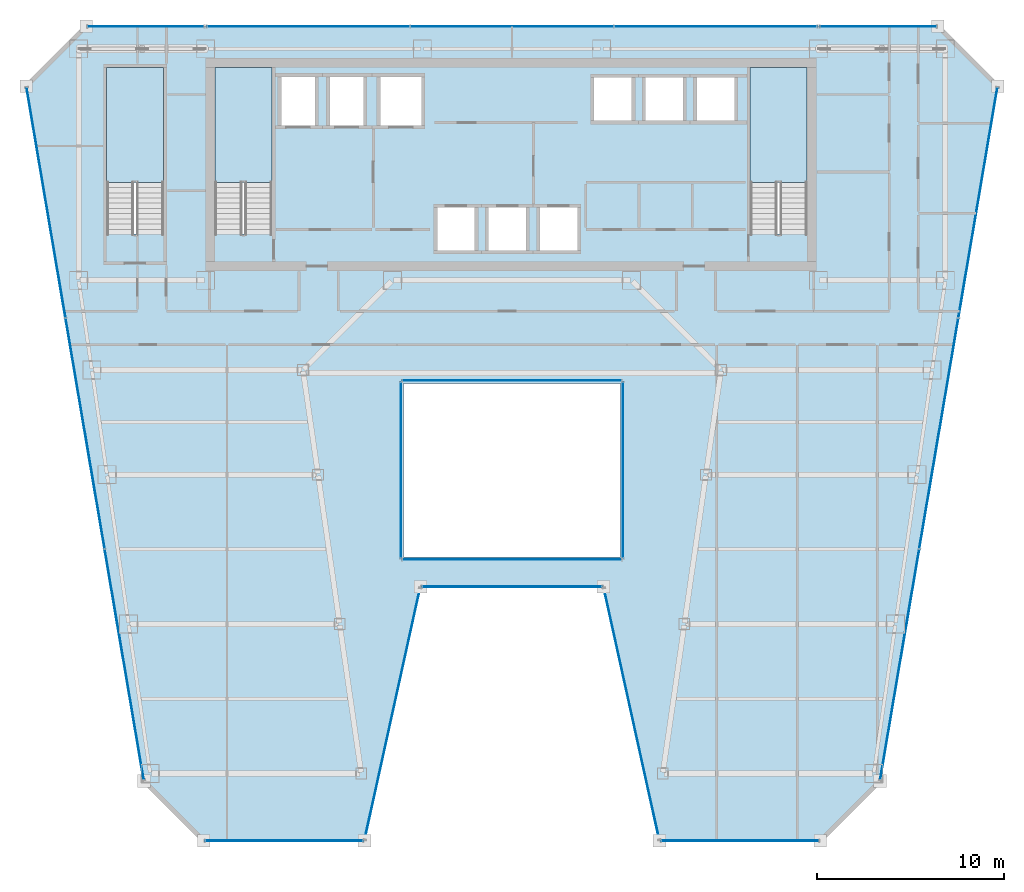
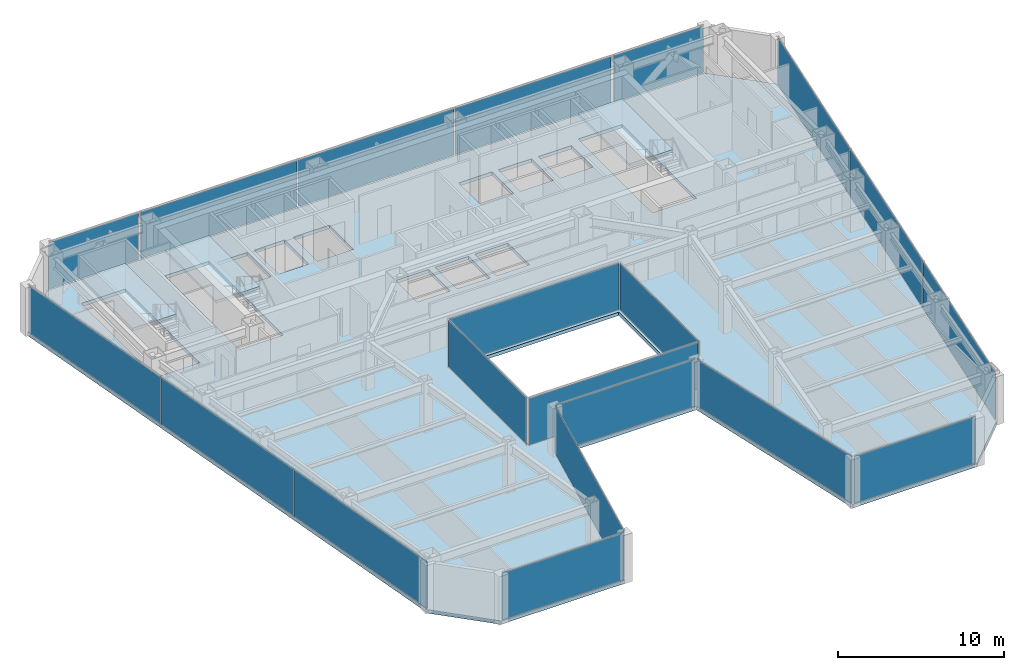
# One storey, part 28 of 36: 20 plates, 4 slabs, 17 elements without a shape of their own.
"""IFC4 building model written with IfcOpenShell, lengths in metres."""

from ifc_helpers import new_model, si_unit, direction, frame, origin, origin_2d, place, context, subcontext, project, spatial, polyline, rectangle, outline, extrude, material, layer, layer_set, type_object, element, aggregate, save


model = new_model("IFC4")

# Units and contexts
model_context = context("Model", 3, precision=1e-05, world=origin(), true_north=direction((0.0, 1.0)))
body_context = subcontext(model_context, "Body", "Model", "MODEL_VIEW")
ifc_project = project(units=[si_unit("LENGTHUNIT", "METRE"), si_unit("AREAUNIT", "SQUARE_METRE"), si_unit("VOLUMEUNIT", "CUBIC_METRE"), si_unit("PLANEANGLEUNIT", "RADIAN"), si_unit("MASSUNIT", "GRAM", prefix="KILO")], contexts=[model_context])

# Site, building, storey
site_placement = place(None, origin())
site = spatial("IfcSite", under=ifc_project, at=site_placement, CompositionType="ELEMENT")
building_placement = place(site_placement, origin())
building = spatial("IfcBuilding", under=site, at=building_placement, Name="Saevonmaru Cultural Tower", CompositionType="ELEMENT")
storey_placement = place(building_placement, frame((0.0, 0.0, 171.39990234375)))
storey = spatial("IfcBuildingStorey", under=building, at=storey_placement, Name="L38", CompositionType="ELEMENT", Elevation=171.39990234375)

# Curtain wall, plate
ifc_material_1 = material(Name="Satin Bronze Anodised Aluminium", Category="aluminium")
curtain_wall_type_1 = type_object("IfcCurtainWallType", Name="CW-ATR-GLZ", PredefinedType="NOTDEFINED", material=ifc_material_1)
curtain_wall_1_placement = place(storey_placement, origin())
curtain_wall_1 = element("IfcCurtainWall", 1, at=curtain_wall_1_placement, inside=storey, type_object=curtain_wall_type_1, Name="L38 Vertical Atrium Glazed Smoke Screen 1", PredefinedType="NOTDEFINED")
ifc_material_2 = material(Name="Fire-Rated Laminated Atrium Glass", Category="glass")
ifc_layer_1 = layer(ifc_material_2, 0.031982421875, Name="Fire-Rated Laminated Atrium Glass")
ifc_layer_set_1 = layer_set([ifc_layer_1], Name="Fire-Rated Laminated Atrium Glass")
plate_type_1 = type_object("IfcPlateType", Name="PN-GLZ-ATR-INT", PredefinedType="CURTAIN_PANEL", material=ifc_layer_set_1)
plate_1_placement = place(storey_placement, frame((30.0, 27.449951171875, 0.067138671875), z_axis=(0.0, 0.0, 1.0), x_axis=(1.0, 0.0, 0.0)))
plate_1 = element("IfcPlate", 2, at=plate_1_placement, type_object=plate_type_1, Name="CW-ATR-L38-1 panel 1.1", PredefinedType="CURTAIN_PANEL", context=body_context, shape_type="SweptSolid", body=[
    extrude(rectangle(XDim=11.7109375, YDim=0.031982421875, at=origin_2d()), origin(), (0.0, 0.0, 1.0), 3.416015625),
])
aggregate(curtain_wall_1, [plate_1])

curtain_wall_2_placement = place(storey_placement, origin())
curtain_wall_2 = element("IfcCurtainWall", 3, at=curtain_wall_2_placement, inside=storey, type_object=curtain_wall_type_1, Name="L38 Vertical Atrium Glazed Smoke Screen 2", PredefinedType="NOTDEFINED")
plate_2_placement = place(storey_placement, frame((35.949951171875, 32.239990234375, 0.067138671875), z_axis=(0.0, 0.0, 1.0), x_axis=(0.0, 1.0, 0.0)))
plate_2 = element("IfcPlate", 4, at=plate_2_placement, type_object=plate_type_1, Name="CW-ATR-L38-2 panel 1.1", PredefinedType="CURTAIN_PANEL", context=body_context, shape_type="SweptSolid", body=[
    extrude(rectangle(XDim=9.39111328125, YDim=0.031982421875, at=origin_2d()), origin(), (0.0, 0.0, 1.0), 3.416015625),
])
aggregate(curtain_wall_2, [plate_2])

curtain_wall_3_placement = place(storey_placement, origin())
curtain_wall_3 = element("IfcCurtainWall", 5, at=curtain_wall_3_placement, inside=storey, type_object=curtain_wall_type_1, Name="L38 Vertical Atrium Glazed Smoke Screen 3", PredefinedType="NOTDEFINED")
plate_3_placement = place(storey_placement, frame((30.0, 37.030029296875, 0.067138671875), z_axis=(0.0, 0.0, 1.0), x_axis=(-1.0, 0.0, 0.0)))
plate_3 = element("IfcPlate", 6, at=plate_3_placement, type_object=plate_type_1, Name="CW-ATR-L38-3 panel 1.1", PredefinedType="CURTAIN_PANEL", context=body_context, shape_type="SweptSolid", body=[
    extrude(rectangle(XDim=11.7109375, YDim=0.031982421875, at=origin_2d()), origin(), (0.0, 0.0, 1.0), 3.416015625),
])
aggregate(curtain_wall_3, [plate_3])

curtain_wall_4_placement = place(storey_placement, origin())
curtain_wall_4 = element("IfcCurtainWall", 7, at=curtain_wall_4_placement, inside=storey, type_object=curtain_wall_type_1, Name="L38 Vertical Atrium Glazed Smoke Screen 4", PredefinedType="NOTDEFINED")
plate_4_placement = place(storey_placement, frame((24.050048828125, 32.239990234375, 0.067138671875), z_axis=(0.0, 0.0, 1.0), x_axis=(0.0, -1.0, 0.0)))
plate_4 = element("IfcPlate", 8, at=plate_4_placement, type_object=plate_type_1, Name="CW-ATR-L38-4 panel 1.1", PredefinedType="CURTAIN_PANEL", context=body_context, shape_type="SweptSolid", body=[
    extrude(rectangle(XDim=9.39111328125, YDim=0.031982421875, at=origin_2d()), origin(), (0.0, 0.0, 1.0), 3.416015625),
])
aggregate(curtain_wall_4, [plate_4])

curtain_wall_type_2 = type_object("IfcCurtainWallType", Name="CW-TYP-A", PredefinedType="NOTDEFINED", material=ifc_material_1)
curtain_wall_5_placement = place(storey_placement, origin())
curtain_wall_5 = element("IfcCurtainWall", 9, at=curtain_wall_5_placement, inside=storey, type_object=curtain_wall_type_2, Name="L38 Unitised Curtain Wall E2", PredefinedType="NOTDEFINED")
ifc_material_3 = material(Name="Triple Silver Low-E Insulating Glass", Category="glass")
ifc_layer_2 = layer(ifc_material_3, 0.035888671875, Name="Triple Silver Low-E Insulating Glass")
ifc_layer_set_2 = layer_set([ifc_layer_2], Name="Triple Silver Low-E Insulating Glass")
plate_type_2 = type_object("IfcPlateType", Name="PN-GLZ-IGU", PredefinedType="CURTAIN_PANEL", material=ifc_layer_set_2)
plate_5_placement = place(storey_placement, frame((17.7978515625, 12.39990234375, 0.067138671875), z_axis=(0.0, 0.0, 1.0), x_axis=(1.0, 0.0, 0.0)))
plate_5 = element("IfcPlate", 10, at=plate_5_placement, type_object=plate_type_2, Name="CW-TW-L38-E2 panel 1.1", PredefinedType="CURTAIN_PANEL", context=body_context, shape_type="SweptSolid", body=[
    extrude(rectangle(XDim=8.410888671875, YDim=0.035888671875, at=origin_2d()), origin(), (0.0, 0.0, 1.0), 3.416015625),
])
aggregate(curtain_wall_5, [plate_5])

curtain_wall_6_placement = place(storey_placement, origin())
curtain_wall_6 = element("IfcCurtainWall", 11, at=curtain_wall_6_placement, inside=storey, type_object=curtain_wall_type_2, Name="L38 Unitised Curtain Wall E3", PredefinedType="NOTDEFINED")
plate_6_placement = place(storey_placement, frame((23.597900390625, 19.199951171875, 0.067138671875), z_axis=(0.0, 0.0, 1.0), x_axis=(0.215413319953, 0.976522965212, 0.0)))
plate_6 = element("IfcPlate", 12, at=plate_6_placement, type_object=plate_type_2, Name="CW-TW-L38-E3 panel 1.1", PredefinedType="CURTAIN_PANEL", context=body_context, shape_type="SweptSolid", body=[
    extrude(rectangle(XDim=13.738037109375, YDim=0.035888671875, at=origin_2d()), origin(), (0.0, 0.0, 1.0), 3.416015625),
])
aggregate(curtain_wall_6, [plate_6])

curtain_wall_7_placement = place(storey_placement, origin())
curtain_wall_7 = element("IfcCurtainWall", 13, at=curtain_wall_7_placement, inside=storey, type_object=curtain_wall_type_2, Name="L38 Unitised Curtain Wall E4", PredefinedType="NOTDEFINED")
plate_7_placement = place(storey_placement, frame((30.0, 26.0, 0.067138671875), z_axis=(0.0, 0.0, 1.0), x_axis=(1.0, 0.0, 0.0)))
plate_7 = element("IfcPlate", 14, at=plate_7_placement, type_object=plate_type_2, Name="CW-TW-L38-E4 panel 1.1", PredefinedType="CURTAIN_PANEL", context=body_context, shape_type="SweptSolid", body=[
    extrude(rectangle(XDim=9.615478515625, YDim=0.035888671875, at=origin_2d()), origin(), (0.0, 0.0, 1.0), 3.416015625),
])
aggregate(curtain_wall_7, [plate_7])

curtain_wall_8_placement = place(storey_placement, origin())
curtain_wall_8 = element("IfcCurtainWall", 15, at=curtain_wall_8_placement, inside=storey, type_object=curtain_wall_type_2, Name="L38 Unitised Curtain Wall E5", PredefinedType="NOTDEFINED")
plate_8_placement = place(storey_placement, frame((36.402099609375, 19.199951171875, 0.067138671875), z_axis=(0.0, 0.0, 1.0), x_axis=(0.215413319953, -0.976522965212, 0.0)))
plate_8 = element("IfcPlate", 16, at=plate_8_placement, type_object=plate_type_2, Name="CW-TW-L38-E5 panel 1.1", PredefinedType="CURTAIN_PANEL", context=body_context, shape_type="SweptSolid", body=[
    extrude(rectangle(XDim=13.738037109375, YDim=0.035888671875, at=origin_2d()), origin(), (0.0, 0.0, 1.0), 3.416015625),
])
aggregate(curtain_wall_8, [plate_8])

curtain_wall_9_placement = place(storey_placement, origin())
curtain_wall_9 = element("IfcCurtainWall", 17, at=curtain_wall_9_placement, inside=storey, type_object=curtain_wall_type_2, Name="L38 Unitised Curtain Wall E6", PredefinedType="NOTDEFINED")
plate_9_placement = place(storey_placement, frame((42.2021484375, 12.39990234375, 0.067138671875), z_axis=(0.0, 0.0, 1.0), x_axis=(1.0, 0.0, 0.0)))
plate_9 = element("IfcPlate", 18, at=plate_9_placement, type_object=plate_type_2, Name="CW-TW-L38-E6 panel 1.1", PredefinedType="CURTAIN_PANEL", context=body_context, shape_type="SweptSolid", body=[
    extrude(rectangle(XDim=8.410888671875, YDim=0.035888671875, at=origin_2d()), origin(), (0.0, 0.0, 1.0), 3.416015625),
])
aggregate(curtain_wall_9, [plate_9])

# Curtain wall, plates
curtain_wall_10_placement = place(storey_placement, origin())
curtain_wall_10 = element("IfcCurtainWall", 19, at=curtain_wall_10_placement, inside=storey, type_object=curtain_wall_type_2, Name="L38 Unitised Curtain Wall E8", PredefinedType="NOTDEFINED")
plate_10_placement = place(storey_placement, frame((50.758544921875, 21.83935546875, 0.067138671875), z_axis=(0.0, 0.0, 1.0), x_axis=(0.16692169721, 0.985970155228, 0.0)))
plate_10 = element("IfcPlate", 20, at=plate_10_placement, type_object=plate_type_2, Name="CW-TW-L38-E8 panel 1.1", PredefinedType="CURTAIN_PANEL", context=body_context, shape_type="SweptSolid", body=[
    extrude(rectangle(XDim=12.467529296875, YDim=0.035888671875, at=origin_2d()), origin(), (0.0, 0.0, 1.0), 3.416015625),
])
plate_11_placement = place(storey_placement, frame((52.85107421875, 34.199951171875, 0.067138671875), z_axis=(0.0, 0.0, 1.0), x_axis=(0.16692169721, 0.985970155228, 0.0)))
plate_11 = element("IfcPlate", 21, at=plate_11_placement, type_object=plate_type_2, Name="CW-TW-L38-E8 panel 2.1", PredefinedType="CURTAIN_PANEL", context=body_context, shape_type="SweptSolid", body=[
    extrude(rectangle(XDim=12.467529296875, YDim=0.035888671875, at=origin_2d()), origin(), (0.0, 0.0, 1.0), 3.416015625),
])
plate_12_placement = place(storey_placement, frame((54.943603515625, 46.560546875, 0.067138671875), z_axis=(0.0, 0.0, 1.0), x_axis=(0.16692169721, 0.985970155228, 0.0)))
plate_12 = element("IfcPlate", 22, at=plate_12_placement, type_object=plate_type_2, Name="CW-TW-L38-E8 panel 3.1", PredefinedType="CURTAIN_PANEL", context=body_context, shape_type="SweptSolid", body=[
    extrude(rectangle(XDim=12.467529296875, YDim=0.035888671875, at=origin_2d()), origin(), (0.0, 0.0, 1.0), 3.416015625),
])
aggregate(curtain_wall_10, [plate_10, plate_11, plate_12])

curtain_wall_11_placement = place(storey_placement, origin())
curtain_wall_11 = element("IfcCurtainWall", 23, at=curtain_wall_11_placement, inside=storey, type_object=curtain_wall_type_2, Name="L38 North Spine Unitised Curtain Wall E10B", PredefinedType="NOTDEFINED")
plate_13_placement = place(storey_placement, frame((40.893310546875, 56.0, 0.067138671875), z_axis=(0.0, 0.0, 1.0), x_axis=(-1.0, 0.0, 0.0)))
plate_13 = element("IfcPlate", 24, at=plate_13_placement, type_object=plate_type_2, Name="CW-TW-L38-E10B panel 1.1", PredefinedType="CURTAIN_PANEL", context=body_context, shape_type="SweptSolid", body=[
    extrude(rectangle(XDim=10.82421875, YDim=0.035888671875, at=origin_2d()), origin(), (0.0, 0.0, 1.0), 3.416015625),
])
plate_14_placement = place(storey_placement, frame((30.0, 56.0, 0.067138671875), z_axis=(0.0, 0.0, 1.0), x_axis=(-1.0, 0.0, 0.0)))
plate_14 = element("IfcPlate", 25, at=plate_14_placement, type_object=plate_type_2, Name="CW-TW-L38-E10B panel 2.1", PredefinedType="CURTAIN_PANEL", context=body_context, shape_type="SweptSolid", body=[
    extrude(rectangle(XDim=10.82421875, YDim=0.035888671875, at=origin_2d()), origin(), (0.0, 0.0, 1.0), 3.416015625),
])
plate_15_placement = place(storey_placement, frame((19.106689453125, 56.0, 0.067138671875), z_axis=(0.0, 0.0, 1.0), x_axis=(-1.0, 0.0, 0.0)))
plate_15 = element("IfcPlate", 26, at=plate_15_placement, type_object=plate_type_2, Name="CW-TW-L38-E10B panel 3.1", PredefinedType="CURTAIN_PANEL", context=body_context, shape_type="SweptSolid", body=[
    extrude(rectangle(XDim=10.82421875, YDim=0.035888671875, at=origin_2d()), origin(), (0.0, 0.0, 1.0), 3.416015625),
])
aggregate(curtain_wall_11, [plate_13, plate_14, plate_15])

curtain_wall_12_placement = place(storey_placement, origin())
curtain_wall_12 = element("IfcCurtainWall", 27, at=curtain_wall_12_placement, inside=storey, type_object=curtain_wall_type_2, Name="L38 Unitised Curtain Wall E12", PredefinedType="NOTDEFINED")
plate_16_placement = place(storey_placement, frame((5.056396484375, 46.560546875, 0.067138671875), z_axis=(0.0, 0.0, 1.0), x_axis=(0.16692169721, -0.985970155228, 0.0)))
plate_16 = element("IfcPlate", 28, at=plate_16_placement, type_object=plate_type_2, Name="CW-TW-L38-E12 panel 1.1", PredefinedType="CURTAIN_PANEL", context=body_context, shape_type="SweptSolid", body=[
    extrude(rectangle(XDim=12.467529296875, YDim=0.035888671875, at=origin_2d()), origin(), (0.0, 0.0, 1.0), 3.416015625),
])
plate_17_placement = place(storey_placement, frame((7.14892578125, 34.199951171875, 0.067138671875), z_axis=(0.0, 0.0, 1.0), x_axis=(0.16692169721, -0.985970155228, 0.0)))
plate_17 = element("IfcPlate", 29, at=plate_17_placement, type_object=plate_type_2, Name="CW-TW-L38-E12 panel 2.1", PredefinedType="CURTAIN_PANEL", context=body_context, shape_type="SweptSolid", body=[
    extrude(rectangle(XDim=12.467529296875, YDim=0.035888671875, at=origin_2d()), origin(), (0.0, 0.0, 1.0), 3.416015625),
])
plate_18_placement = place(storey_placement, frame((9.241455078125, 21.83935546875, 0.067138671875), z_axis=(0.0, 0.0, 1.0), x_axis=(0.16692169721, -0.985970155228, 0.0)))
plate_18 = element("IfcPlate", 30, at=plate_18_placement, type_object=plate_type_2, Name="CW-TW-L38-E12 panel 3.1", PredefinedType="CURTAIN_PANEL", context=body_context, shape_type="SweptSolid", body=[
    extrude(rectangle(XDim=12.467529296875, YDim=0.035888671875, at=origin_2d()), origin(), (0.0, 0.0, 1.0), 3.416015625),
])
aggregate(curtain_wall_12, [plate_16, plate_17, plate_18])

# Curtain wall, plate
curtain_wall_13_placement = place(storey_placement, origin())
curtain_wall_13 = element("IfcCurtainWall", 31, at=curtain_wall_13_placement, inside=storey, type_object=curtain_wall_type_2, Name="L38 East Braced Bay Spandrel Curtain Wall E10A", PredefinedType="NOTDEFINED")
ifc_material_4 = material(Name="Insulated Satin Bronze Aluminium Spandrel Panel", Category="aluminium")
ifc_layer_3 = layer(ifc_material_4, 0.0400390625, Name="Insulated Satin Bronze Aluminium Spandrel Panel")
ifc_layer_set_3 = layer_set([ifc_layer_3], Name="Insulated Satin Bronze Aluminium Spandrel Panel")
plate_type_3 = type_object("IfcPlateType", Name="PN-SPANDREL-BRONZE", PredefinedType="CURTAIN_PANEL", material=ifc_layer_set_3)
plate_19_placement = place(storey_placement, frame((49.60009765625, 56.0, 0.067138671875), z_axis=(0.0, 0.0, 1.0), x_axis=(-1.0, 0.0, 0.0)))
plate_19 = element("IfcPlate", 32, at=plate_19_placement, type_object=plate_type_3, Name="CW-TW-L38-E10A panel 1.1", PredefinedType="CURTAIN_PANEL", context=body_context, shape_type="SweptSolid", body=[
    extrude(rectangle(XDim=6.2109375, YDim=0.035888671875, at=origin_2d()), origin(), (0.0, 0.0, 1.0), 3.416015625),
])
aggregate(curtain_wall_13, [plate_19])

curtain_wall_14_placement = place(storey_placement, origin())
curtain_wall_14 = element("IfcCurtainWall", 33, at=curtain_wall_14_placement, inside=storey, type_object=curtain_wall_type_2, Name="L38 West Braced Bay Spandrel Curtain Wall E10C", PredefinedType="NOTDEFINED")
plate_20_placement = place(storey_placement, frame((10.39990234375, 56.0, 0.067138671875), z_axis=(0.0, 0.0, 1.0), x_axis=(-1.0, 0.0, 0.0)))
plate_20 = element("IfcPlate", 34, at=plate_20_placement, type_object=plate_type_3, Name="CW-TW-L38-E10C panel 1.1", PredefinedType="CURTAIN_PANEL", context=body_context, shape_type="SweptSolid", body=[
    extrude(rectangle(XDim=6.2109375, YDim=0.035888671875, at=origin_2d()), origin(), (0.0, 0.0, 1.0), 3.416015625),
])
aggregate(curtain_wall_14, [plate_20])

# Slab
ifc_material_5 = material(Name="Concrete C40/50", Category="concrete")
ifc_layer_4 = layer(ifc_material_5, 0.25, Name="Concrete C40/50")
ifc_layer_set_4 = layer_set([ifc_layer_4], Name="Concrete C40/50")
slab_type_1 = type_object("IfcSlabType", Name="SL-FLR-250", PredefinedType="FLOOR", material=ifc_layer_set_4)
slab_1_placement = place(storey_placement, frame((0.0, 0.0, -0.25)))
element("IfcSlab", 35, at=slab_1_placement, inside=storey, type_object=slab_type_1, Name="L38 Tower Structural Floor Slab", PredefinedType="FLOOR", context=body_context, shape_type="SweptSolid", body=[
    extrude(outline(polyline([(10.2978515625, 15.60009765625), (13.497802734375, 12.39990234375), (22.097900390625, 12.39990234375), (25.097900390625, 26.0), (34.902099609375, 26.0), (37.902099609375, 12.39990234375), (46.502197265625, 12.39990234375), (49.7021484375, 15.60009765625), (56.0, 52.800048828125), (52.800048828125, 56.0), (7.199951171875, 56.0), (4.0, 52.800048828125), (10.2978515625, 15.60009765625)]), holes=[polyline([(45.800048828125, 44.875), (42.75, 44.875), (42.75, 53.800048828125), (45.800048828125, 53.800048828125), (45.800048828125, 44.875)]), polyline([(39.75, 50.800048828125), (39.75, 53.39990234375), (42.050048828125, 53.39990234375), (42.050048828125, 50.800048828125), (39.75, 50.800048828125)]), polyline([(37.0, 50.800048828125), (37.0, 53.39990234375), (39.300048828125, 53.39990234375), (39.300048828125, 50.800048828125), (37.0, 50.800048828125)]), polyline([(34.25, 50.800048828125), (34.25, 53.39990234375), (36.550048828125, 53.39990234375), (36.550048828125, 50.800048828125), (34.25, 50.800048828125)]), polyline([(24.199951171875, 27.60009765625), (24.199951171875, 36.8798828125), (35.800048828125, 36.8798828125), (35.800048828125, 27.60009765625), (24.199951171875, 27.60009765625)]), polyline([(31.35009765625, 43.85009765625), (31.35009765625, 46.449951171875), (33.64990234375, 46.449951171875), (33.64990234375, 43.85009765625), (31.35009765625, 43.85009765625)]), polyline([(28.60009765625, 43.85009765625), (28.60009765625, 46.449951171875), (30.89990234375, 46.449951171875), (30.89990234375, 43.85009765625), (28.60009765625, 43.85009765625)]), polyline([(28.14990234375, 43.85009765625), (25.85009765625, 43.85009765625), (25.85009765625, 46.449951171875), (28.14990234375, 46.449951171875), (28.14990234375, 43.85009765625)]), polyline([(25.300048828125, 50.550048828125), (22.800048828125, 50.550048828125), (22.800048828125, 53.449951171875), (25.300048828125, 53.449951171875), (25.300048828125, 50.550048828125)]), polyline([(20.10009765625, 50.550048828125), (20.10009765625, 53.449951171875), (22.199951171875, 53.449951171875), (22.199951171875, 50.550048828125), (20.10009765625, 50.550048828125)]), polyline([(17.5, 50.550048828125), (17.5, 53.449951171875), (19.60009765625, 53.449951171875), (19.60009765625, 50.550048828125), (17.5, 50.550048828125)]), polyline([(17.14990234375, 53.800048828125), (17.14990234375, 44.875), (14.10009765625, 44.875), (14.10009765625, 53.800048828125), (17.14990234375, 53.800048828125)]), polyline([(11.35009765625, 44.875), (8.300048828125, 44.875), (8.300048828125, 53.800048828125), (11.35009765625, 53.800048828125), (11.35009765625, 44.875)])]), origin(), (0.0, 0.0, 1.0), 0.25),
])

# Stair, slab
stair_type = type_object("IfcStairType", Name="STR-DOGLEG-RC", PredefinedType="HALF_TURN_STAIR", material=ifc_material_5)
stair_1_placement = place(storey_placement, origin())
stair_1 = element("IfcStair", 36, at=stair_1_placement, inside=storey, type_object=stair_type, Name="L38 Protected exit stair ST-1", PredefinedType="HALF_TURN_STAIR")
ifc_layer_5 = layer(ifc_material_5, 0.199951171875, Name="Concrete C40/50")
ifc_layer_set_5 = layer_set([ifc_layer_5], Name="Concrete C40/50")
slab_type_2 = type_object("IfcSlabType", Name="SL-STAIR-LANDING", PredefinedType="LANDING", material=ifc_layer_set_5)
slab_2_placement = place(storey_placement, frame((0.0, 0.0, 1.7001953125)))
slab_2 = element("IfcSlab", 37, at=slab_2_placement, type_object=slab_type_2, Name="ST-1-L38 landing 1", PredefinedType="LANDING", context=body_context, shape_type="SweptSolid", body=[
    extrude(outline(polyline([(17.14990234375, 47.64990234375), (17.14990234375, 53.800048828125), (14.10009765625, 53.800048828125), (14.10009765625, 47.64990234375), (17.14990234375, 47.64990234375)])), origin(), (0.0, 0.0, 1.0), 0.199951171875),
])
aggregate(stair_1, [slab_2])

stair_2_placement = place(storey_placement, origin())
stair_2 = element("IfcStair", 38, at=stair_2_placement, inside=storey, type_object=stair_type, Name="L38 Protected exit stair ST-2", PredefinedType="HALF_TURN_STAIR")
slab_3_placement = place(storey_placement, frame((0.0, 0.0, 1.7001953125)))
slab_3 = element("IfcSlab", 39, at=slab_3_placement, type_object=slab_type_2, Name="ST-2-L38 landing 1", PredefinedType="LANDING", context=body_context, shape_type="SweptSolid", body=[
    extrude(outline(polyline([(45.800048828125, 47.64990234375), (45.800048828125, 53.800048828125), (42.75, 53.800048828125), (42.75, 47.64990234375), (45.800048828125, 47.64990234375)])), origin(), (0.0, 0.0, 1.0), 0.199951171875),
])
aggregate(stair_2, [slab_3])

stair_3_placement = place(storey_placement, origin())
stair_3 = element("IfcStair", 40, at=stair_3_placement, inside=storey, type_object=stair_type, Name="L38 Protected exit stair ST-3", PredefinedType="HALF_TURN_STAIR")
slab_4_placement = place(storey_placement, frame((0.0, 0.0, 1.7001953125)))
slab_4 = element("IfcSlab", 41, at=slab_4_placement, type_object=slab_type_2, Name="ST-3-L38 landing 1", PredefinedType="LANDING", context=body_context, shape_type="SweptSolid", body=[
    extrude(outline(polyline([(11.35009765625, 47.64990234375), (11.35009765625, 53.800048828125), (8.300048828125, 53.800048828125), (8.300048828125, 47.64990234375), (11.35009765625, 47.64990234375)])), origin(), (0.0, 0.0, 1.0), 0.199951171875),
])
aggregate(stair_3, [slab_4])

save(model, "model.ifc")
